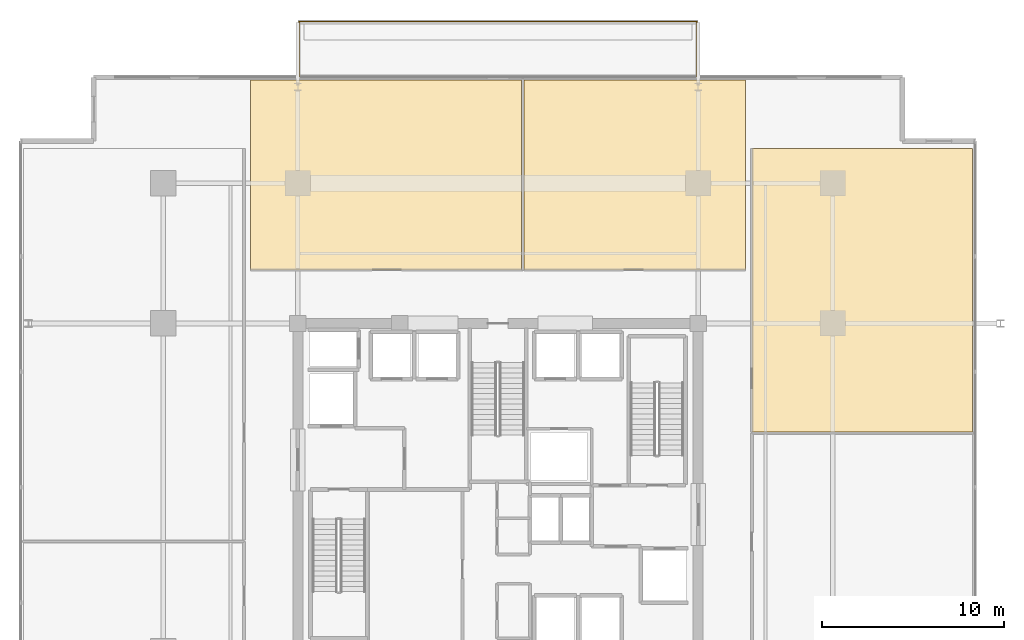
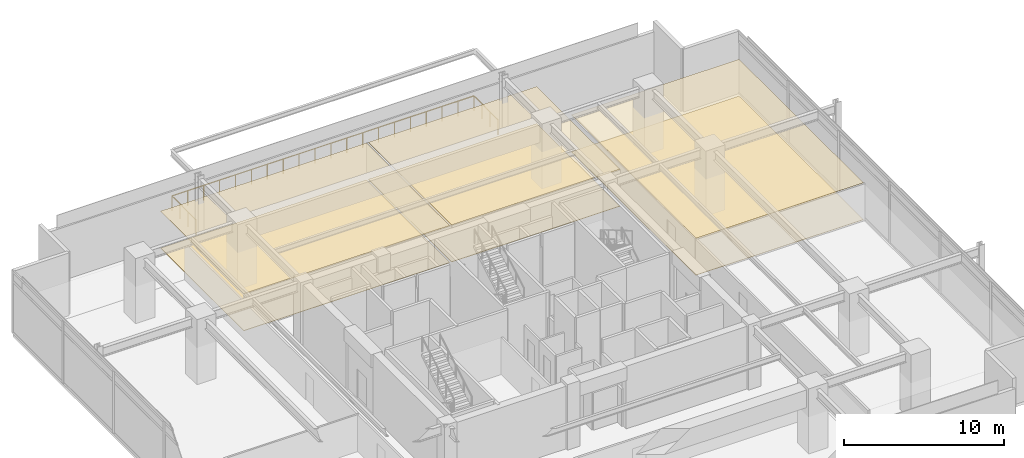
# One storey, part 21 of 21: 6 coverings, 1 railing.
"""IFC4 building model written with IfcOpenShell, lengths in metres."""

from ifc_helpers import new_model, si_unit, direction, frame, origin, origin_2d, place, context, subcontext, project, spatial, polyline, circle, outline, extrude, material, layer, layer_set, type_object, element, save


model = new_model("IFC4")

# Units and contexts
model_context = context("Model", 3, precision=1e-05, world=origin(), true_north=direction((0.0, 1.0)))
body_context = subcontext(model_context, "Body", "Model", "MODEL_VIEW")
ifc_project = project(units=[si_unit("LENGTHUNIT", "METRE"), si_unit("AREAUNIT", "SQUARE_METRE"), si_unit("VOLUMEUNIT", "CUBIC_METRE"), si_unit("PLANEANGLEUNIT", "RADIAN"), si_unit("MASSUNIT", "GRAM", prefix="KILO")], contexts=[model_context])

# Site, building, storey
site_placement = place(None, origin())
site = spatial("IfcSite", under=ifc_project, at=site_placement, CompositionType="ELEMENT")
building_placement = place(site_placement, origin())
building = spatial("IfcBuilding", under=site, at=building_placement, Name="Kovane Verandah Tower", CompositionType="ELEMENT")
storey_placement = place(building_placement, frame((0.0, 0.0, 238.199951171875)))
storey = spatial("IfcBuildingStorey", under=building, at=storey_placement, Name="L55", CompositionType="ELEMENT", Elevation=238.199951171875)

# Coverings
ifc_material_1 = material(Name="Perforated Acoustic Mineral-Fibre Ceiling Tile", Category="gypsum")
ifc_layer_1 = layer(ifc_material_1, 0.02490234375)
ifc_layer_set_1 = layer_set([ifc_layer_1], Name="Perforated Acoustic Mineral-Fibre Ceiling Tile")
covering_type_1 = type_object("IfcCoveringType", Name="CV-CEIL-25", PredefinedType="CEILING", material=ifc_layer_set_1)
covering_1_placement = place(storey_placement, frame((0.0, 0.0, 2.824951171875)))
element("IfcCovering", 1, at=covering_1_placement, inside=storey, type_object=covering_type_1, Name="L55 Sky Lobby Transfer Lounge N1 Acoustic Ceiling", PredefinedType="CEILING", context=body_context, shape_type="SweptSolid", body=[
    extrude(outline(polyline([(26.39990234375, 39.449951171875), (41.2900390625, 39.449951171875), (41.2900390625, 49.873291015625), (26.39990234375, 49.873291015625), (26.39990234375, 39.449951171875)])), origin(), (0.0, 0.0, 1.0), 0.025146484375),
])
covering_2_placement = place(storey_placement, frame((0.0, 0.0, 2.824951171875)))
element("IfcCovering", 2, at=covering_2_placement, inside=storey, type_object=covering_type_1, Name="L55 Focus Studio N2 Acoustic Ceiling", PredefinedType="CEILING", context=body_context, shape_type="SweptSolid", body=[
    extrude(outline(polyline([(41.429931640625, 39.449951171875), (53.60009765625, 39.449951171875), (53.60009765625, 49.873291015625), (41.429931640625, 49.873291015625), (41.429931640625, 39.449951171875)])), origin(), (0.0, 0.0, 1.0), 0.025146484375),
])
covering_3_placement = place(storey_placement, frame((0.0, 0.0, 2.824951171875)))
element("IfcCovering", 3, at=covering_3_placement, inside=storey, type_object=covering_type_1, Name="L55 Executive Office E2 Acoustic Ceiling", PredefinedType="CEILING", context=body_context, shape_type="SweptSolid", body=[
    extrude(outline(polyline([(53.949951171875, 30.5498046875), (66.070556640625, 30.5498046875), (66.070556640625, 46.123291015625), (53.949951171875, 46.123291015625), (53.949951171875, 30.5498046875)])), origin(), (0.0, 0.0, 1.0), 0.025146484375),
])
ifc_material_2 = material(Name="Polished Terrazzo and Raised-Access Carpet Tile Finish", Category="concrete")
ifc_layer_2 = layer(ifc_material_2, 0.030029296875)
ifc_layer_set_2 = layer_set([ifc_layer_2], Name="Polished Terrazzo and Raised-Access Carpet Tile Finish")
covering_type_2 = type_object("IfcCoveringType", Name="CV-FLOR-30", PredefinedType="FLOORING", material=ifc_layer_set_2)
covering_4_placement = place(storey_placement, origin())
element("IfcCovering", 4, at=covering_4_placement, inside=storey, type_object=covering_type_2, Name="L55 Sky Lobby Transfer Lounge N1 Floor Finish", PredefinedType="FLOORING", context=body_context, shape_type="SweptSolid", body=[
    extrude(outline(polyline([(26.39990234375, 39.449951171875), (41.2900390625, 39.449951171875), (41.2900390625, 49.873291015625), (26.39990234375, 49.873291015625), (26.39990234375, 39.449951171875)])), origin(), (0.0, 0.0, 1.0), 0.030029296875),
])
covering_5_placement = place(storey_placement, origin())
element("IfcCovering", 5, at=covering_5_placement, inside=storey, type_object=covering_type_2, Name="L55 Focus Studio N2 Floor Finish", PredefinedType="FLOORING", context=body_context, shape_type="SweptSolid", body=[
    extrude(outline(polyline([(41.429931640625, 39.449951171875), (53.60009765625, 39.449951171875), (53.60009765625, 49.873291015625), (41.429931640625, 49.873291015625), (41.429931640625, 39.449951171875)])), origin(), (0.0, 0.0, 1.0), 0.030029296875),
])
covering_6_placement = place(storey_placement, origin())
element("IfcCovering", 6, at=covering_6_placement, inside=storey, type_object=covering_type_2, Name="L55 Executive Office E2 Floor Finish", PredefinedType="FLOORING", context=body_context, shape_type="SweptSolid", body=[
    extrude(outline(polyline([(53.949951171875, 30.5498046875), (66.070556640625, 30.5498046875), (66.070556640625, 46.123291015625), (53.949951171875, 46.123291015625), (53.949951171875, 30.5498046875)])), origin(), (0.0, 0.0, 1.0), 0.030029296875),
])

# Railing
ifc_material_3 = material(Name="Laminated Glass and Pale-Champagne Stainless Balustrade", Category="glass")
railing_type = type_object("IfcRailingType", Name="RL-BAL-1150", PredefinedType="BALUSTRADE", material=ifc_material_3)
railing_placement = place(storey_placement, frame((29.080078125, 50.073486328125, 0.0)))
element("IfcRailing", 7, at=railing_placement, inside=storey, type_object=railing_type, Name="L55 N Verandah Glass Balustrade", PredefinedType="BALUSTRADE", context=body_context, shape_type="SweptSolid", body=[
    extrude(circle(Radius=0.02392578125, at=origin_2d()), frame((0.0, 0.0, 1.1259765625), z_axis=(0.0, 1.0, 0.0), x_axis=(-1.0, 0.0, 0.0)), (0.0, 0.0, 1.0), 3.02001953125),
    extrude(circle(Radius=0.02392578125, at=origin_2d()), frame((0.0, 3.02001953125, 1.1259765625), z_axis=(1.0, 0.0, 0.0), x_axis=(0.0, 1.0, 0.0)), (0.0, 0.0, 1.0), 21.83984375),
    extrude(circle(Radius=0.02392578125, at=origin_2d()), frame((21.83984375, 3.02001953125, 1.1259765625), z_axis=(0.0, -1.0, 0.0), x_axis=(1.0, 0.0, 0.0)), (0.0, 0.0, 1.0), 3.02001953125),
    extrude(circle(Radius=0.02099609375, at=origin_2d()), origin(), (0.0, 0.0, 1.0), 1.101806640625),
    extrude(circle(Radius=0.02099609375, at=origin_2d()), frame((0.0, 1.006591796875, 0.0)), (0.0, 0.0, 1.0), 1.101806640625),
    extrude(circle(Radius=0.02099609375, at=origin_2d()), frame((0.0, 2.013427734375, 0.0)), (0.0, 0.0, 1.0), 1.101806640625),
    extrude(circle(Radius=0.02099609375, at=origin_2d()), frame((0.0, 3.02001953125, 0.0)), (0.0, 0.0, 1.0), 1.101806640625),
    extrude(circle(Radius=0.02099609375, at=origin_2d()), frame((1.1494140625, 3.02001953125, 0.0)), (0.0, 0.0, 1.0), 1.101806640625),
    extrude(circle(Radius=0.02099609375, at=origin_2d()), frame((2.298828125, 3.02001953125, 0.0)), (0.0, 0.0, 1.0), 1.101806640625),
    extrude(circle(Radius=0.02099609375, at=origin_2d()), frame((3.448486328125, 3.02001953125, 0.0)), (0.0, 0.0, 1.0), 1.101806640625),
    extrude(circle(Radius=0.02099609375, at=origin_2d()), frame((4.597900390625, 3.02001953125, 0.0)), (0.0, 0.0, 1.0), 1.101806640625),
    extrude(circle(Radius=0.02099609375, at=origin_2d()), frame((5.747314453125, 3.02001953125, 0.0)), (0.0, 0.0, 1.0), 1.101806640625),
    extrude(circle(Radius=0.02099609375, at=origin_2d()), frame((6.896728515625, 3.02001953125, 0.0)), (0.0, 0.0, 1.0), 1.101806640625),
    extrude(circle(Radius=0.02099609375, at=origin_2d()), frame((8.046142578125, 3.02001953125, 0.0)), (0.0, 0.0, 1.0), 1.101806640625),
    extrude(circle(Radius=0.02099609375, at=origin_2d()), frame((9.19580078125, 3.02001953125, 0.0)), (0.0, 0.0, 1.0), 1.101806640625),
    extrude(circle(Radius=0.02099609375, at=origin_2d()), frame((10.34521484375, 3.02001953125, 0.0)), (0.0, 0.0, 1.0), 1.101806640625),
    extrude(circle(Radius=0.02099609375, at=origin_2d()), frame((11.49462890625, 3.02001953125, 0.0)), (0.0, 0.0, 1.0), 1.101806640625),
    extrude(circle(Radius=0.02099609375, at=origin_2d()), frame((12.64404296875, 3.02001953125, 0.0)), (0.0, 0.0, 1.0), 1.101806640625),
    extrude(circle(Radius=0.02099609375, at=origin_2d()), frame((13.793701171875, 3.02001953125, 0.0)), (0.0, 0.0, 1.0), 1.101806640625),
    extrude(circle(Radius=0.02099609375, at=origin_2d()), frame((14.943115234375, 3.02001953125, 0.0)), (0.0, 0.0, 1.0), 1.101806640625),
    extrude(circle(Radius=0.02099609375, at=origin_2d()), frame((16.092529296875, 3.02001953125, 0.0)), (0.0, 0.0, 1.0), 1.101806640625),
    extrude(circle(Radius=0.02099609375, at=origin_2d()), frame((17.241943359375, 3.02001953125, 0.0)), (0.0, 0.0, 1.0), 1.101806640625),
    extrude(circle(Radius=0.02099609375, at=origin_2d()), frame((18.391357421875, 3.02001953125, 0.0)), (0.0, 0.0, 1.0), 1.101806640625),
    extrude(circle(Radius=0.02099609375, at=origin_2d()), frame((19.541015625, 3.02001953125, 0.0)), (0.0, 0.0, 1.0), 1.101806640625),
    extrude(circle(Radius=0.02099609375, at=origin_2d()), frame((20.6904296875, 3.02001953125, 0.0)), (0.0, 0.0, 1.0), 1.101806640625),
    extrude(circle(Radius=0.02099609375, at=origin_2d()), frame((21.83984375, 3.02001953125, 0.0)), (0.0, 0.0, 1.0), 1.101806640625),
    extrude(circle(Radius=0.02099609375, at=origin_2d()), frame((21.83984375, 2.013427734375, 0.0)), (0.0, 0.0, 1.0), 1.101806640625),
    extrude(circle(Radius=0.02099609375, at=origin_2d()), frame((21.83984375, 1.006591796875, 0.0)), (0.0, 0.0, 1.0), 1.101806640625),
    extrude(circle(Radius=0.02099609375, at=origin_2d()), frame((21.83984375, 0.0, 0.0)), (0.0, 0.0, 1.0), 1.101806640625),
])

save(model, "model.ifc")
